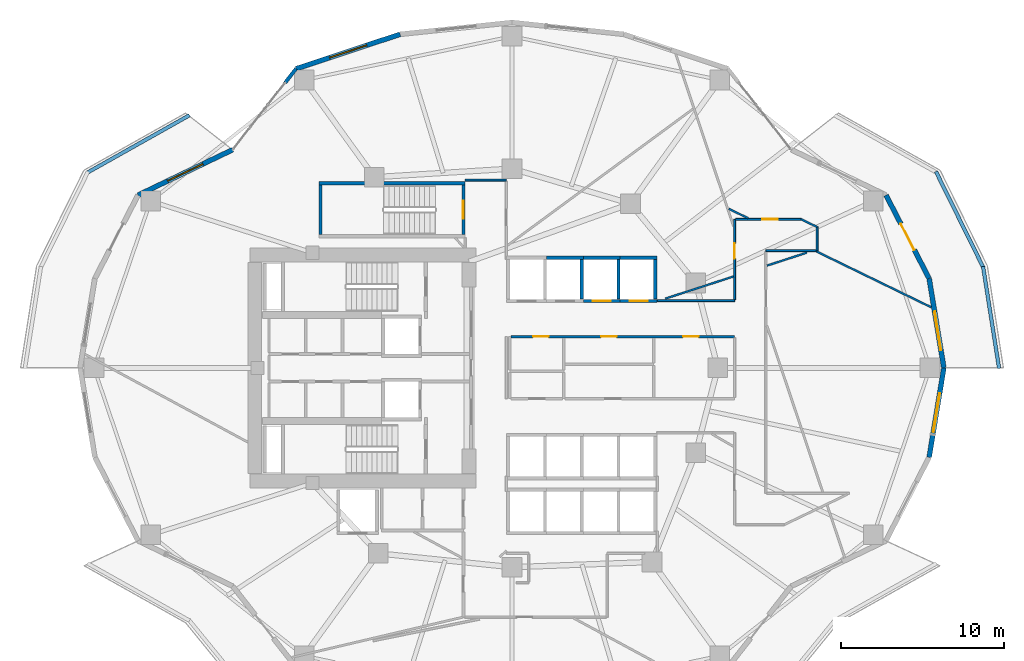
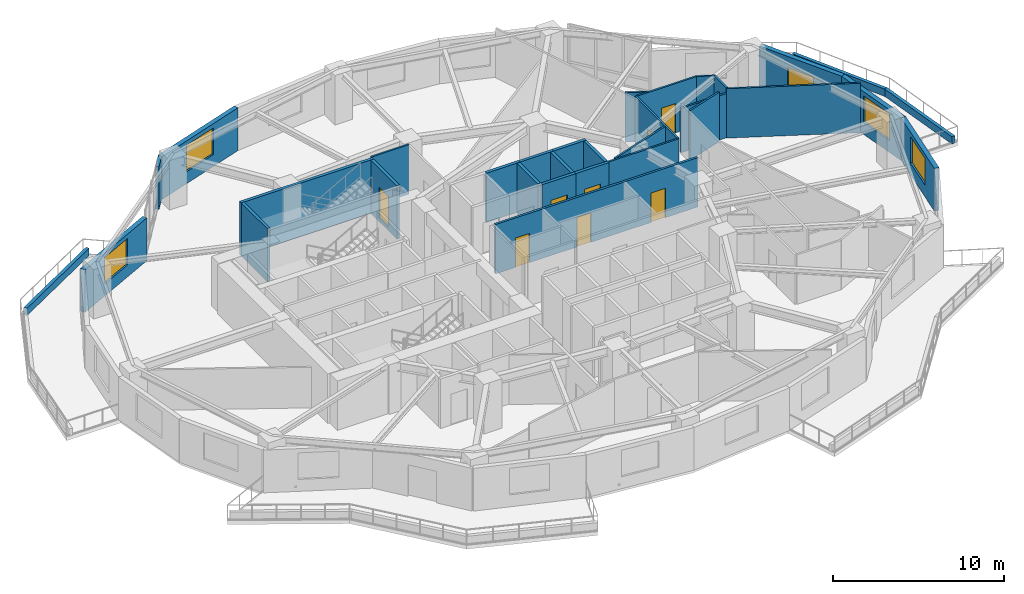
# One storey, part 8 of 12: 32 walls, 9 doors, 4 windows, 13 openings.
"""IFC4 building model written with IfcOpenShell, lengths in metres."""

import ifcopenshell
import ifcopenshell.guid

model = None  # the IFC model being written
_history = None  # IfcOwnerHistory: only IFC2X3 demands one
_inside = {}  # id of a spatial element -> (the spatial element, [elements in it])
_under = {}  # id of a project, library or spatial element -> (it, [spatial elements below it])
_declared = {}  # id of a project -> (the project, [libraries it declares])
_typed = {}  # id of a type object -> (the type object, [elements of that type])
_made_of = {}  # id of a material, layer set ... -> (it, [elements and type objects made of it])


def new_model(schema):
    """Start an empty IFC model of exactly this schema.

    Asked for "IFC4X3", IfcOpenShell would pick the latest addendum, in which some entities
    have other attributes; the version numbers below select the first issue.
    IFC2X3 requires an IfcOwnerHistory on every rooted entity: one is made here for all.
    """
    global model, _history
    if schema == "IFC4X3":
        model = ifcopenshell.file(schema_version=(4, 3, 0, 0))
    else:
        model = ifcopenshell.file(schema=schema)
    _inside.clear()
    _under.clear()
    _declared.clear()
    _typed.clear()
    _made_of.clear()
    _history = None
    if model.schema == "IFC2X3":
        org = make("IfcOrganization", Name="unknown")
        user = make(
            "IfcPersonAndOrganization",
            ThePerson=make("IfcPerson", FamilyName="unknown"),
            TheOrganization=org,
        )
        app = make(
            "IfcApplication",
            ApplicationDeveloper=org,
            Version="unknown",
            ApplicationFullName="unknown",
            ApplicationIdentifier="unknown",
        )
        _history = make(
            "IfcOwnerHistory",
            OwningUser=user,
            OwningApplication=app,
            ChangeAction="ADDED",
            CreationDate=0,
        )
    return model


def make(cls, **values):
    """One entity of the class cls with the attributes given. An attribute that is None is left unset."""
    return model.create_entity(
        cls, **{name: value for name, value in values.items() if value is not None}
    )


def rooted(cls, **values):
    """An entity with a GlobalId (a new one), such as an element, a storey or a relation."""
    return make(cls, GlobalId=ifcopenshell.guid.new(), OwnerHistory=_history, **values)


def si_unit(unit_type, name, prefix=None):
    """IfcSIUnit, for example si_unit("LENGTHUNIT", "METRE", prefix="MILLI")."""
    return make("IfcSIUnit", UnitType=unit_type, Prefix=prefix, Name=name)


def assignment(units):
    """IfcUnitAssignment: the units of a project."""
    return None if units is None else make("IfcUnitAssignment", Units=units)


def point(xyz):
    """IfcCartesianPoint."""
    return None if xyz is None else make("IfcCartesianPoint", Coordinates=xyz)


def direction(xyz):
    """IfcDirection."""
    return None if xyz is None else make("IfcDirection", DirectionRatios=xyz)


def frame(location, z_axis=None, x_axis=None):
    """IfcAxis2Placement3D, a coordinate frame: its origin and axes. An axis left out is left unset."""
    return make(
        "IfcAxis2Placement3D",
        Location=point(location),
        Axis=direction(z_axis),
        RefDirection=direction(x_axis),
    )


def frame_2d(location, x_axis=None):
    """IfcAxis2Placement2D, a coordinate frame in the plane: its origin and x axis."""
    return make(
        "IfcAxis2Placement2D", Location=point(location), RefDirection=direction(x_axis)
    )


def origin():
    """The frame at (0, 0, 0) with its axes left unset."""
    return frame((0.0, 0.0, 0.0))


def place(relative_to, where):
    """IfcLocalPlacement: puts the frame where relative to a parent placement (None: the world)."""
    return make(
        "IfcLocalPlacement", PlacementRelTo=relative_to, RelativePlacement=where
    )


def context(
    kind, dimensions, precision=None, world=None, true_north=None, identifier=None
):
    """IfcGeometricRepresentationContext, for example the 3D "Model" context."""
    return make(
        "IfcGeometricRepresentationContext",
        ContextIdentifier=identifier,
        ContextType=kind,
        CoordinateSpaceDimension=dimensions,
        Precision=precision,
        WorldCoordinateSystem=world,
        TrueNorth=true_north,
    )


def subcontext(parent, identifier, kind, view, scale=None):
    """IfcGeometricRepresentationSubContext, for example "Body" below "Model"."""
    return make(
        "IfcGeometricRepresentationSubContext",
        ContextIdentifier=identifier,
        ContextType=kind,
        ParentContext=parent,
        TargetScale=scale,
        TargetView=view,
    )


def project(units=None, contexts=None):
    """IfcProject with its units and contexts."""
    return rooted(
        "IfcProject",
        Name="project",
        RepresentationContexts=contexts,
        UnitsInContext=assignment(units),
    )


def spatial(cls, under=None, at=None, **own):
    """A site, building, storey or space (cls), placed at a placement, below another one or the project."""
    s = rooted(cls, ObjectPlacement=at, **own)
    if under is not None:
        _under.setdefault(under.id(), (under, []))[1].append(s)
    return s


def profile(cls, at=None, kind="AREA", **sizes):
    """A parametric profile (cls). Its sizes go by their IFC names, for example OverallWidth=200.0."""
    return make(cls, ProfileType=kind, Position=at, **sizes)


def rectangle(**sizes):
    """IfcRectangleProfileDef."""
    return profile("IfcRectangleProfileDef", **sizes)


def extrude(swept, where, along, depth):
    """IfcExtrudedAreaSolid: the profile swept, set in the frame where, extruded along a direction by depth."""
    return make(
        "IfcExtrudedAreaSolid",
        SweptArea=swept,
        Position=where,
        ExtrudedDirection=direction(along),
        Depth=depth,
    )


def shape(context_of_items, identifier, shape_type, items):
    """IfcShapeRepresentation: the items that make up one representation, for example the "Body"."""
    return make(
        "IfcShapeRepresentation",
        ContextOfItems=context_of_items,
        RepresentationIdentifier=identifier,
        RepresentationType=shape_type,
        Items=items,
    )


def material(Name=None, Category=None):
    """IfcMaterial."""
    return make("IfcMaterial", Name=Name, Category=Category)


def layer(
    of_material, thickness, ventilated=None, Name=None, Category=None, Priority=None
):
    """IfcMaterialLayer: one layer of a wall or slab, of a material (None: an air gap)."""
    return make(
        "IfcMaterialLayer",
        Material=of_material,
        LayerThickness=thickness,
        IsVentilated=ventilated,
        Name=Name,
        Category=Category,
        Priority=Priority,
    )


def layer_set(layers, Name=None):
    """IfcMaterialLayerSet."""
    return make("IfcMaterialLayerSet", MaterialLayers=layers, LayerSetName=Name)


def made_of(thing, what):
    """Note that an element or type object is made of a material, layer set ...; save() writes the relation."""
    if what is not None:
        _made_of.setdefault(what.id(), (what, []))[1].append(thing)
    return thing


def type_object(cls, material=None, **own):
    """A type object (cls), such as IfcWallType, which elements share."""
    return made_of(rooted(cls, **own), material)


def element(
    cls,
    number,
    at=None,
    inside=None,
    cuts=None,
    type_object=None,
    material=None,
    context=None,
    identifier="Body",
    shape_type=None,
    held_by="IfcProductDefinitionShape",
    body=None,
    shapes=None,
    **own,
):
    """One element of the class cls, such as IfcWall. Its Tag is "e" and its number.

    at: its placement. inside: the storey or other place that contains it. cuts: it is an
    opening in that element (IfcRelVoidsElement). A single representation is given by context,
    identifier, shape_type and body (its items); several are given by shapes. held_by: the class
    of the entity that holds the representations. save() writes the other relations.
    """
    e = rooted(cls, Tag="e%d" % number, ObjectPlacement=at, **own)
    if body is not None:
        shapes = [shape(context, identifier, shape_type, body)]
    if shapes is not None:
        e.Representation = make(held_by, Representations=shapes)
    if inside is not None:
        _inside.setdefault(inside.id(), (inside, []))[1].append(e)
    if cuts is not None:
        rooted(
            "IfcRelVoidsElement", RelatingBuildingElement=cuts, RelatedOpeningElement=e
        )
    if type_object is not None:
        _typed.setdefault(type_object.id(), (type_object, []))[1].append(e)
    return made_of(e, material)


def fill(opening, filler):
    """IfcRelFillsElement: the door or window that sits in an opening."""
    return rooted(
        "IfcRelFillsElement",
        RelatingOpeningElement=opening,
        RelatedBuildingElement=filler,
    )


def aggregate(whole, parts):
    """IfcRelAggregates: a whole, such as a stair, and the parts it consists of."""
    return rooted("IfcRelAggregates", RelatingObject=whole, RelatedObjects=parts)


def save(model, path):
    """Write the relations noted so far, then the file.

    IfcRelAggregates (storeys below a building ...), IfcRelContainedInSpatialStructure (elements
    in a storey), IfcRelDefinesByType, IfcRelAssociatesMaterial and IfcRelDeclares: one each for
    every whole, place, type object, material and project.
    """
    for whole, parts in _under.values():
        aggregate(whole, parts)
    for where, things in _inside.values():
        rooted(
            "IfcRelContainedInSpatialStructure",
            RelatedElements=things,
            RelatingStructure=where,
        )
    for kind, things in _typed.values():
        rooted("IfcRelDefinesByType", RelatedObjects=things, RelatingType=kind)
    for what, things in _made_of.values():
        rooted("IfcRelAssociatesMaterial", RelatedObjects=things, RelatingMaterial=what)
    for by, libraries in _declared.values():
        rooted("IfcRelDeclares", RelatingContext=by, RelatedDefinitions=libraries)
    model.write(path)


model = new_model("IFC4")

# Units and contexts
model_context = context("Model", 3, precision=1e-05, world=origin(), true_north=direction((0.0, 1.0)))
body_context = subcontext(model_context, "Body", "Model", "MODEL_VIEW")
ifc_project = project(units=[si_unit("LENGTHUNIT", "METRE"), si_unit("AREAUNIT", "SQUARE_METRE"), si_unit("VOLUMEUNIT", "CUBIC_METRE"), si_unit("PLANEANGLEUNIT", "RADIAN"), si_unit("MASSUNIT", "GRAM", prefix="KILO")], contexts=[model_context])

# Site, building, storey
site_placement = place(None, origin())
site = spatial("IfcSite", under=ifc_project, at=site_placement, CompositionType="ELEMENT")
building_placement = place(site_placement, origin())
building = spatial("IfcBuilding", under=site, at=building_placement, Name="Kolvaren Gate Tower and Convention Centre", CompositionType="ELEMENT")
storey_placement = place(building_placement, frame((0.0, 0.0, 91.949951171875)))
storey = spatial("IfcBuildingStorey", under=building, at=storey_placement, Name="L22", CompositionType="ELEMENT", Elevation=91.949951171875)

# Walls
ifc_material_1 = material(Name="Fire-Rated Acoustic Gypsum Stud Partition", Category="gypsum")
ifc_layer_1 = layer(ifc_material_1, 0.1201171875)
ifc_layer_set_1 = layer_set([ifc_layer_1], Name="Fire-Rated Acoustic Gypsum Stud Partition")
wall_type_1 = type_object("IfcWallType", Name="ARCH-WL-PART-120", PredefinedType="PARTITIONING", material=ifc_layer_set_1)
wall_1_placement = place(storey_placement, frame((27.25, 38.5, 0.0), z_axis=(0.0, 0.0, 1.0), x_axis=(1.0, 0.0, 0.0)))
element("IfcWall", 1, at=wall_1_placement, inside=storey, type_object=wall_type_1, Name="Interior Partition WL-L22-INT-027", PredefinedType="PARTITIONING", context=body_context, shape_type="SweptSolid", body=[
    extrude(rectangle(XDim=2.530029296875, YDim=0.1201171875, at=frame_2d((1.26513671875, 0.0))), origin(), (0.0, 0.0, 1.0), 3.530029296875),
])
wall_2_placement = place(storey_placement, frame((39.02001953125, 31.1201171875, 0.0), z_axis=(0.0, 0.0, 1.0), x_axis=(1.0, 0.0, 0.0)))
element("IfcWall", 2, at=wall_2_placement, inside=storey, type_object=wall_type_1, Name="Interior Partition WL-L22-INT-031", PredefinedType="PARTITIONING", context=body_context, shape_type="SweptSolid", body=[
    extrude(rectangle(XDim=4.72998046875, YDim=0.1201171875, at=frame_2d((2.364990234375, 0.0))), origin(), (0.0, 0.0, 1.0), 3.530029296875),
])

# Wall, opening, door
wall_3_placement = place(storey_placement, frame((43.75, 31.181884765625, 0.0), z_axis=(0.0, 0.0, 1.0), x_axis=(0.0, 1.0, 0.0)))
wall_3 = element("IfcWall", 3, at=wall_3_placement, inside=storey, type_object=wall_type_1, Name="Interior Partition WL-L22-INT-034", PredefinedType="PARTITIONING", context=body_context, shape_type="SweptSolid", body=[
    extrude(rectangle(XDim=4.918212890625, YDim=0.1201171875, at=frame_2d((2.458984375, 0.0))), origin(), (0.0, 0.0, 1.0), 3.530029296875),
])
opening_1_placement = place(wall_3_placement, frame((2.4912109375, 0.0, 0.0)))
opening_1 = element("IfcOpeningElement", 4, at=opening_1_placement, cuts=wall_3, Name="Opening DR-01", PredefinedType="OPENING", context=body_context, shape_type="SweptSolid", body=[
    extrude(rectangle(XDim=0.949951171875, YDim=2.10009765625, at=frame_2d((0.47509765625, 1.050048828125))), frame((0.0, 0.070068359375, 0.0), z_axis=(0.0, -1.0, 0.0), x_axis=(1.0, 0.0, 0.0)), (0.0, 0.0, 1.0), 0.14013671875),
])
ifc_material_2 = material(Name="Painted Architectural Steelwork ASTM A500 Grade C 345 MPa", Category="steel")
door_type_1 = type_object("IfcDoorType", Name="ARCH-DR-RISER-950", OperationType="SINGLE_SWING_RIGHT", PredefinedType="DOOR", material=ifc_material_2)
door_1_placement = place(opening_1_placement, origin())
door_1 = element("IfcDoor", 5, at=door_1_placement, inside=storey, type_object=door_type_1, Name="Corporate Advisory Open-Plan Office Door", OperationType="SINGLE_SWING_RIGHT", OverallHeight=2.10009765625, OverallWidth=0.949951171875, PredefinedType="DOOR", context=body_context, shape_type="SweptSolid", body=[
    extrude(rectangle(XDim=0.949951171875, YDim=2.10009765625, at=frame_2d((0.47509765625, 1.050048828125))), frame((0.0, 0.02490234375, 0.0), z_axis=(0.0, -1.0, 0.0), x_axis=(1.0, 0.0, 0.0)), (0.0, 0.0, 1.0), 0.050048828125),
])
fill(opening_1, door_1)

wall_4_placement = place(storey_placement, frame((43.81201171875, 36.10009765625, 0.0), z_axis=(0.0, 0.0, 1.0), x_axis=(1.0, 0.0, 0.0)))
wall_4 = element("IfcWall", 6, at=wall_4_placement, inside=storey, type_object=wall_type_1, Name="Interior Partition WL-L22-INT-035", PredefinedType="PARTITIONING", context=body_context, shape_type="SweptSolid", body=[
    extrude(rectangle(XDim=4.011962890625, YDim=0.1201171875, at=frame_2d((2.005859375, 0.0))), origin(), (0.0, 0.0, 1.0), 3.530029296875),
])
opening_2_placement = place(wall_4_placement, frame((1.622802734375, 0.0, 0.0)))
opening_2 = element("IfcOpeningElement", 7, at=opening_2_placement, cuts=wall_4, Name="Opening DR-01", PredefinedType="OPENING", context=body_context, shape_type="SweptSolid", body=[
    extrude(rectangle(XDim=0.949951171875, YDim=2.10009765625, at=frame_2d((0.47509765625, 1.050048828125))), frame((0.0, 0.070068359375, 0.0), z_axis=(0.0, -1.0, 0.0), x_axis=(1.0, 0.0, 0.0)), (0.0, 0.0, 1.0), 0.14013671875),
])
door_2_placement = place(opening_2_placement, origin())
door_2 = element("IfcDoor", 8, at=door_2_placement, inside=storey, type_object=door_type_1, Name="Corporate Advisory Open-Plan Office Door", OperationType="SINGLE_SWING_LEFT", OverallHeight=2.10009765625, OverallWidth=0.949951171875, PredefinedType="DOOR", context=body_context, shape_type="SweptSolid", body=[
    extrude(rectangle(XDim=0.949951171875, YDim=2.10009765625, at=frame_2d((0.47509765625, 1.050048828125))), frame((0.0, 0.02490234375, 0.0), z_axis=(0.0, -1.0, 0.0), x_axis=(1.0, 0.0, 0.0)), (0.0, 0.0, 1.0), 0.050048828125),
])
fill(opening_2, door_2)

# Walls
wall_5_placement = place(storey_placement, frame((47.823974609375, 36.10009765625, 0.0), z_axis=(0.0, 0.0, 1.0), x_axis=(0.901350599951, -0.433090170712, 0.0)))
element("IfcWall", 9, at=wall_5_placement, inside=storey, type_object=wall_type_1, Name="Interior Partition WL-L22-INT-036", PredefinedType="PARTITIONING", context=body_context, shape_type="SweptSolid", body=[
    extrude(rectangle(XDim=1.0830078125, YDim=0.1201171875, at=frame_2d((0.54150390625, 0.0))), origin(), (0.0, 0.0, 1.0), 3.530029296875),
])
wall_6_placement = place(storey_placement, frame((48.800048828125, 34.179931640625, 0.0), z_axis=(0.0, 0.0, 1.0), x_axis=(0.0, 1.0, 0.0)))
element("IfcWall", 10, at=wall_6_placement, inside=storey, type_object=wall_type_1, Name="Interior Partition WL-L22-INT-037", PredefinedType="PARTITIONING", context=body_context, shape_type="SweptSolid", body=[
    extrude(rectangle(XDim=1.451171875, YDim=0.1201171875, at=frame_2d((0.7255859375, 0.0))), origin(), (0.0, 0.0, 1.0), 3.530029296875),
])
wall_7_placement = place(storey_placement, frame((45.669921875, 34.179931640625, 0.0), z_axis=(0.0, 0.0, 1.0), x_axis=(1.0, 0.0, 0.0)))
element("IfcWall", 11, at=wall_7_placement, inside=storey, type_object=wall_type_1, Name="Interior Partition WL-L22-INT-038", PredefinedType="PARTITIONING", context=body_context, shape_type="SweptSolid", body=[
    extrude(rectangle(XDim=3.068115234375, YDim=0.1201171875, at=frame_2d((1.5341796875, 0.0))), origin(), (0.0, 0.0, 1.0), 3.1650390625),
])
wall_8_placement = place(storey_placement, frame((39.51123046875, 31.241943359375, 0.0), z_axis=(0.0, 0.0, 1.0), x_axis=(0.951052042302, 0.30903076357, 0.0)))
element("IfcWall", 12, at=wall_8_placement, inside=storey, type_object=wall_type_1, Name="Interior Partition WL-L22-INT-057", PredefinedType="PARTITIONING", context=body_context, shape_type="SweptSolid", body=[
    extrude(rectangle(XDim=4.391845703125, YDim=0.1201171875, at=frame_2d((2.19580078125, 0.0))), origin(), (0.0, 0.0, 1.0), 3.530029296875),
])
wall_9_placement = place(storey_placement, frame((45.73193359375, 33.26318359375, 0.0), z_axis=(0.0, 0.0, 1.0), x_axis=(0.951057081836, 0.309015253813, 0.0)))
element("IfcWall", 13, at=wall_9_placement, inside=storey, type_object=wall_type_1, Name="Interior Partition WL-L22-INT-058", PredefinedType="PARTITIONING", context=body_context, shape_type="SweptSolid", body=[
    extrude(rectangle(XDim=2.572509765625, YDim=0.1201171875, at=frame_2d((1.2861328125, 0.0))), origin(), (0.0, 0.0, 1.0), 3.530029296875),
])
wall_10_placement = place(storey_placement, frame((43.39404296875, 36.7421875, 0.0), z_axis=(0.0, 0.0, 1.0), x_axis=(0.899305525601, -0.437320902339, 0.0)))
element("IfcWall", 14, at=wall_10_placement, inside=storey, type_object=wall_type_1, Name="Interior Partition WL-L22-INT-059", PredefinedType="PARTITIONING", context=body_context, shape_type="SweptSolid", body=[
    extrude(rectangle(XDim=1.326416015625, YDim=0.1201171875, at=frame_2d((0.6630859375, 0.0))), origin(), (0.0, 0.0, 1.0), 3.530029296875),
])
wall_11_placement = place(storey_placement, frame((48.738037109375, 34.142578125, 0.0), z_axis=(0.0, 0.0, 1.0), x_axis=(0.899231452107, -0.437473194083, 0.0)))
element("IfcWall", 15, at=wall_11_placement, inside=storey, type_object=wall_type_1, Name="Interior Partition WL-L22-INT-060", PredefinedType="PARTITIONING", context=body_context, shape_type="SweptSolid", body=[
    extrude(rectangle(XDim=7.8515625, YDim=0.1201171875, at=frame_2d((3.92578125, 0.0))), origin(), (0.0, 0.0, 1.0), 3.530029296875),
])
ifc_material_3 = material(Name="Bogota Sabana Bush-Hammered Sandstone Cladding", Category="masonry")
ifc_layer_2 = layer(ifc_material_3, 0.219970703125)
ifc_layer_set_2 = layer_set([ifc_layer_2], Name="Bogota Sabana Bush-Hammered Sandstone Cladding")
wall_type_2 = type_object("IfcWallType", Name="ARCH-WL-PIER-220", PredefinedType="SOLIDWALL", material=ifc_layer_set_2)
wall_12_placement = place(storey_placement, frame((16.24267578125, 44.46875, 0.0), z_axis=(0.0, 0.0, 1.0), x_axis=(0.616418327775, 0.787418849903, 0.0)))
element("IfcWall", 16, at=wall_12_placement, inside=storey, type_object=wall_type_2, Name="Tower L22 Unitised Curtain Wall CW-OFF-UNIT Bay 08 Right Column Pier Wrap", PredefinedType="SOLIDWALL", context=body_context, shape_type="SweptSolid", body=[
    extrude(rectangle(XDim=1.076416015625, YDim=0.219970703125, at=frame_2d((0.5380859375, 0.0))), origin(), (0.0, 0.0, 1.0), 3.052978515625),
])
ifc_material_4 = material(Name="Piedmont Cream Honed Limestone Cladding", Category="masonry")
ifc_layer_3 = layer(ifc_material_4, 0.219970703125)
ifc_layer_set_3 = layer_set([ifc_layer_3], Name="Piedmont Cream Honed Limestone Cladding")
wall_type_3 = type_object("IfcWallType", Name="ARCH-WL-PLANTER-220", PredefinedType="PARAPET", material=ifc_layer_set_3)
wall_13_placement = place(storey_placement, frame((58.9619140625, 33.2119140625, 0.0), z_axis=(0.0, 0.0, 1.0), x_axis=(0.15545655238, -0.987842730561, 0.0)))
element("IfcWall", 17, at=wall_13_placement, inside=storey, type_object=wall_type_3, Name="Vertical-Forest Balcony Stone Planter Kerb PK-L22-1.1", PredefinedType="PARAPET", context=body_context, shape_type="SweptSolid", body=[
    extrude(rectangle(XDim=6.318115234375, YDim=0.219970703125, at=frame_2d((3.1591796875, 0.0))), origin(), (0.0, 0.0, 1.0), 0.52001953125),
])
wall_14_placement = place(storey_placement, frame((56.077392578125, 39.021484375, 0.0), z_axis=(0.0, 0.0, 1.0), x_axis=(0.442686636348, -0.89667638644, 0.0)))
element("IfcWall", 18, at=wall_14_placement, inside=storey, type_object=wall_type_3, Name="Vertical-Forest Balcony Stone Planter Kerb PK-L22-1.2", PredefinedType="PARAPET", context=body_context, shape_type="SweptSolid", body=[
    extrude(rectangle(XDim=6.544677734375, YDim=0.219970703125, at=frame_2d((3.2724609375, 0.0))), origin(), (0.0, 0.0, 1.0), 0.52001953125),
])
wall_15_placement = place(storey_placement, frame((4.14697265625, 38.965576171875, 0.0), z_axis=(0.0, 0.0, 1.0), x_axis=(0.871775109335, 0.489906275468, 0.0)))
element("IfcWall", 19, at=wall_15_placement, inside=storey, type_object=wall_type_3, Name="Vertical-Forest Balcony Stone Planter Kerb PK-L22-2.1", PredefinedType="PARAPET", context=body_context, shape_type="SweptSolid", body=[
    extrude(rectangle(XDim=7.152099609375, YDim=0.219970703125, at=frame_2d((3.576171875, 0.0))), origin(), (0.0, 0.0, 1.0), 0.52001953125),
])
ifc_material_5 = material(Name="Autoclaved Aerated Masonry Blockwork Class 4 (4.0 MPa)", Category="masonry")
ifc_layer_4 = layer(ifc_material_5, 0.199951171875)
ifc_layer_set_4 = layer_set([ifc_layer_4], Name="Autoclaved Aerated Masonry Blockwork Class 4 (4.0 MPa)")
wall_type_4 = type_object("IfcWallType", Name="ARCH-WL-SHAFT-200", PredefinedType="SOLIDWALL", material=ifc_layer_set_4)
wall_16_placement = place(storey_placement, frame((32.25, 33.75, 0.0), z_axis=(0.0, 0.0, 1.0), x_axis=(1.0, 0.0, 0.0)))
element("IfcWall", 20, at=wall_16_placement, inside=storey, type_object=wall_type_4, Name="Elevator PL-02 L22 Fire Shaft Wall N", PredefinedType="SOLIDWALL", context=body_context, shape_type="SweptSolid", body=[
    extrude(rectangle(XDim=2.25, YDim=0.199951171875, at=frame_2d((1.125, 0.0))), origin(), (0.0, 0.0, 1.0), 3.530029296875),
])
wall_17_placement = place(storey_placement, frame((34.39990234375, 31.2099609375, 0.0), z_axis=(0.0, 0.0, 1.0), x_axis=(0.0, 1.0, 0.0)))
element("IfcWall", 21, at=wall_17_placement, inside=storey, type_object=wall_type_4, Name="Elevator PL-02 L22 Fire Shaft Wall E", PredefinedType="SOLIDWALL", context=body_context, shape_type="SweptSolid", body=[
    extrude(rectangle(XDim=2.429931640625, YDim=0.199951171875, at=frame_2d((1.21484375, 0.0))), origin(), (0.0, 0.0, 1.0), 3.530029296875),
])
wall_18_placement = place(storey_placement, frame((34.5, 33.75, 0.0), z_axis=(0.0, 0.0, 1.0), x_axis=(1.0, 0.0, 0.0)))
element("IfcWall", 22, at=wall_18_placement, inside=storey, type_object=wall_type_4, Name="Elevator PL-03 L22 Fire Shaft Wall N", PredefinedType="SOLIDWALL", context=body_context, shape_type="SweptSolid", body=[
    extrude(rectangle(XDim=2.25, YDim=0.199951171875, at=frame_2d((1.125, 0.0))), origin(), (0.0, 0.0, 1.0), 3.530029296875),
])

# Wall, opening, door
wall_19_placement = place(storey_placement, frame((34.5, 31.10009765625, 0.0), z_axis=(0.0, 0.0, 1.0), x_axis=(1.0, 0.0, 0.0)))
wall_19 = element("IfcWall", 23, at=wall_19_placement, inside=storey, type_object=wall_type_4, Name="Elevator PL-03 L22 Fire Shaft Wall S", PredefinedType="SOLIDWALL", context=body_context, shape_type="SweptSolid", body=[
    extrude(rectangle(XDim=2.25, YDim=0.199951171875, at=frame_2d((1.125, 0.0))), origin(), (0.0, 0.0, 1.0), 3.530029296875),
])
opening_3_placement = place(wall_19_placement, frame((0.574951171875, 0.0, 0.0)))
opening_3 = element("IfcOpeningElement", 24, at=opening_3_placement, cuts=wall_19, Name="Opening LD", PredefinedType="OPENING", context=body_context, shape_type="SweptSolid", body=[
    extrude(rectangle(XDim=1.10009765625, YDim=2.199951171875, at=frame_2d((0.550048828125, 1.10009765625))), frame((0.0, 0.10986328125, 0.0), z_axis=(0.0, -1.0, 0.0), x_axis=(1.0, 0.0, 0.0)), (0.0, 0.0, 1.0), 0.219970703125),
])
ifc_material_6 = material(Name="Brushed Stainless Steel Grade 316L", Category="steel")
door_type_2 = type_object("IfcDoorType", Name="ARCH-DR-LIFT-1100", OperationType="SLIDING_TO_LEFT", PredefinedType="DOOR", material=ifc_material_6)
door_3_placement = place(opening_3_placement, origin())
door_3 = element("IfcDoor", 25, at=door_3_placement, inside=storey, type_object=door_type_2, Name="Elevator PL-03 L22 Sliding Landing Door", OperationType="SLIDING_TO_LEFT", OverallHeight=2.199951171875, OverallWidth=1.10009765625, PredefinedType="DOOR", context=body_context, shape_type="SweptSolid", body=[
    extrude(rectangle(XDim=1.10009765625, YDim=2.199951171875, at=frame_2d((0.550048828125, 1.10009765625))), frame((0.0, 0.02490234375, 0.0), z_axis=(0.0, -1.0, 0.0), x_axis=(1.0, 0.0, 0.0)), (0.0, 0.0, 1.0), 0.050048828125),
])
fill(opening_3, door_3)

# Walls
wall_20_placement = place(storey_placement, frame((36.64990234375, 31.2099609375, 0.0), z_axis=(0.0, 0.0, 1.0), x_axis=(0.0, 1.0, 0.0)))
element("IfcWall", 26, at=wall_20_placement, inside=storey, type_object=wall_type_4, Name="Elevator PL-03 L22 Fire Shaft Wall E", PredefinedType="SOLIDWALL", context=body_context, shape_type="SweptSolid", body=[
    extrude(rectangle(XDim=2.429931640625, YDim=0.199951171875, at=frame_2d((1.21484375, 0.0))), origin(), (0.0, 0.0, 1.0), 3.530029296875),
])
wall_21_placement = place(storey_placement, frame((36.75, 33.75, 0.0), z_axis=(0.0, 0.0, 1.0), x_axis=(1.0, 0.0, 0.0)))
element("IfcWall", 27, at=wall_21_placement, inside=storey, type_object=wall_type_4, Name="Elevator PL-04 L22 Fire Shaft Wall N", PredefinedType="SOLIDWALL", context=body_context, shape_type="SweptSolid", body=[
    extrude(rectangle(XDim=2.25, YDim=0.199951171875, at=frame_2d((1.125, 0.0))), origin(), (0.0, 0.0, 1.0), 3.530029296875),
])

# Wall, opening, door
wall_22_placement = place(storey_placement, frame((36.75, 31.10009765625, 0.0), z_axis=(0.0, 0.0, 1.0), x_axis=(1.0, 0.0, 0.0)))
wall_22 = element("IfcWall", 28, at=wall_22_placement, inside=storey, type_object=wall_type_4, Name="Elevator PL-04 L22 Fire Shaft Wall S", PredefinedType="SOLIDWALL", context=body_context, shape_type="SweptSolid", body=[
    extrude(rectangle(XDim=2.25, YDim=0.199951171875, at=frame_2d((1.125, 0.0))), origin(), (0.0, 0.0, 1.0), 3.530029296875),
])
opening_4_placement = place(wall_22_placement, frame((0.574951171875, 0.0, 0.0)))
opening_4 = element("IfcOpeningElement", 29, at=opening_4_placement, cuts=wall_22, Name="Opening LD", PredefinedType="OPENING", context=body_context, shape_type="SweptSolid", body=[
    extrude(rectangle(XDim=1.10009765625, YDim=2.199951171875, at=frame_2d((0.550048828125, 1.10009765625))), frame((0.0, 0.10986328125, 0.0), z_axis=(0.0, -1.0, 0.0), x_axis=(1.0, 0.0, 0.0)), (0.0, 0.0, 1.0), 0.219970703125),
])
door_4_placement = place(opening_4_placement, origin())
door_4 = element("IfcDoor", 30, at=door_4_placement, inside=storey, type_object=door_type_2, Name="Elevator PL-04 L22 Sliding Landing Door", OperationType="SLIDING_TO_LEFT", OverallHeight=2.199951171875, OverallWidth=1.10009765625, PredefinedType="DOOR", context=body_context, shape_type="SweptSolid", body=[
    extrude(rectangle(XDim=1.10009765625, YDim=2.199951171875, at=frame_2d((0.550048828125, 1.10009765625))), frame((0.0, 0.02490234375, 0.0), z_axis=(0.0, -1.0, 0.0), x_axis=(1.0, 0.0, 0.0)), (0.0, 0.0, 1.0), 0.050048828125),
])
fill(opening_4, door_4)

# Wall
wall_23_placement = place(storey_placement, frame((38.89990234375, 31.2099609375, 0.0), z_axis=(0.0, 0.0, 1.0), x_axis=(0.0, 1.0, 0.0)))
element("IfcWall", 31, at=wall_23_placement, inside=storey, type_object=wall_type_4, Name="Elevator PL-04 L22 Fire Shaft Wall E", PredefinedType="SOLIDWALL", context=body_context, shape_type="SweptSolid", body=[
    extrude(rectangle(XDim=2.429931640625, YDim=0.199951171875, at=frame_2d((1.21484375, 0.0))), origin(), (0.0, 0.0, 1.0), 3.530029296875),
])

# Wall, opening, window
ifc_layer_5 = layer(ifc_material_4, 0.300048828125)
ifc_layer_set_5 = layer_set([ifc_layer_5], Name="Piedmont Cream Honed Limestone Cladding")
wall_type_5 = type_object("IfcWallType", Name="ARCH-WL-STONE-300", PredefinedType="SOLIDWALL", material=ifc_layer_set_5)
wall_24_placement = place(storey_placement, frame((55.66162109375, 32.47412109375, 0.0), z_axis=(0.0, 0.0, 1.0), x_axis=(0.162386212206, -0.986727276447, 0.0)))
wall_24 = element("IfcWall", 32, at=wall_24_placement, inside=storey, type_object=wall_type_5, Name="Tower L22 Honed Stone Spandrel Wall EW-00", PredefinedType="SOLIDWALL", context=body_context, shape_type="SweptSolid", body=[
    extrude(rectangle(XDim=5.5478515625, YDim=0.300048828125, at=frame_2d((2.77392578125, 0.0))), origin(), (0.0, 0.0, 1.0), 3.052978515625),
])
opening_5_placement = place(wall_24_placement, frame((2.050048828125, 0.0, 0.85009765625)))
opening_5 = element("IfcOpeningElement", 33, at=opening_5_placement, cuts=wall_24, Name="Opening W-01", PredefinedType="OPENING", context=body_context, shape_type="SweptSolid", body=[
    extrude(rectangle(XDim=2.39990234375, YDim=1.89990234375, at=frame_2d((1.199951171875, 0.949951171875))), frame((0.0, 0.159912109375, 0.0), z_axis=(0.0, -1.0, 0.0), x_axis=(1.0, 0.0, 0.0)), (0.0, 0.0, 1.0), 0.320068359375),
])
ifc_material_7 = material(Name="Low-E Triple Insulated Glazing Unit 44 mm", Category="glass")
window_type = type_object("IfcWindowType", Name="ARCH-WN-OFF-2400", PartitioningType="SINGLE_PANEL", PredefinedType="WINDOW", material=ifc_material_7)
window_1_placement = place(opening_5_placement, origin())
window_1 = element("IfcWindow", 34, at=window_1_placement, inside=storey, type_object=window_type, Name="Tower L22 Punched Stone Facade Window W-00", OverallHeight=1.89990234375, OverallWidth=2.39990234375, PartitioningType="SINGLE_PANEL", PredefinedType="WINDOW", context=body_context, shape_type="SweptSolid", body=[
    extrude(rectangle(XDim=2.39990234375, YDim=1.89990234375, at=frame_2d((1.199951171875, 0.949951171875))), frame((0.0, 0.030029296875, 0.0), z_axis=(0.0, -1.0, 0.0), x_axis=(1.0, 0.0, 0.0)), (0.0, 0.0, 1.0), 0.06005859375),
])
fill(opening_5, window_1)

# Wall, opening, door
wall_25_placement = place(storey_placement, frame((53.0205078125, 37.574951171875, 0.0), z_axis=(0.0, 0.0, 1.0), x_axis=(0.459800981414, -0.888021991558, 0.0)))
wall_25 = element("IfcWall", 35, at=wall_25_placement, inside=storey, type_object=wall_type_5, Name="Tower L22 Honed Stone Spandrel Wall EW-01", PredefinedType="SOLIDWALL", context=body_context, shape_type="SweptSolid", body=[
    extrude(rectangle(XDim=5.744140625, YDim=0.300048828125, at=frame_2d((2.8720703125, 0.0))), origin(), (0.0, 0.0, 1.0), 3.052978515625),
])
opening_6_placement = place(wall_25_placement, frame((1.971923828125, 0.0, 0.0)))
opening_6 = element("IfcOpeningElement", 36, at=opening_6_placement, cuts=wall_25, Name="Opening DB-01", PredefinedType="OPENING", context=body_context, shape_type="SweptSolid", body=[
    extrude(rectangle(XDim=1.800048828125, YDim=2.25, at=frame_2d((0.89990234375, 1.125))), frame((0.0, 0.159912109375, 0.0), z_axis=(0.0, -1.0, 0.0), x_axis=(1.0, 0.0, 0.0)), (0.0, 0.0, 1.0), 0.320068359375),
])
ifc_material_8 = material(Name="Anodized Architectural Aluminium Alloy 6063-T6", Category="aluminium")
door_type_3 = type_object("IfcDoorType", Name="ARCH-DR-BALC-1800", OperationType="SLIDING_TO_LEFT", PredefinedType="DOOR", material=ifc_material_8)
door_5_placement = place(opening_6_placement, origin())
door_5 = element("IfcDoor", 37, at=door_5_placement, inside=storey, type_object=door_type_3, Name="Planted Sky Terrace Access Door DB-L22-01", OperationType="SLIDING_TO_LEFT", OverallHeight=2.25, OverallWidth=1.800048828125, PredefinedType="DOOR", context=body_context, shape_type="SweptSolid", body=[
    extrude(rectangle(XDim=1.800048828125, YDim=2.25, at=frame_2d((0.89990234375, 1.125))), frame((0.0, 0.02490234375, 0.0), z_axis=(0.0, -1.0, 0.0), x_axis=(1.0, 0.0, 0.0)), (0.0, 0.0, 1.0), 0.050048828125),
])
fill(opening_6, door_5)

# Wall, opening, window
wall_26_placement = place(storey_placement, frame((16.90625, 45.31640625, 0.0), z_axis=(0.0, 0.0, 1.0), x_axis=(0.949245153629, 0.314537181127, 0.0)))
wall_26 = element("IfcWall", 38, at=wall_26_placement, inside=storey, type_object=wall_type_5, Name="Tower L22 Honed Stone Spandrel Wall EW-07", PredefinedType="SOLIDWALL", context=body_context, shape_type="SweptSolid", body=[
    extrude(rectangle(XDim=6.717041015625, YDim=0.300048828125, at=frame_2d((3.3583984375, 0.0))), origin(), (0.0, 0.0, 1.0), 3.052978515625),
])
opening_7_placement = place(wall_26_placement, frame((2.158935546875, 0.0, 0.85009765625)))
opening_7 = element("IfcOpeningElement", 39, at=opening_7_placement, cuts=wall_26, Name="Opening W-01", PredefinedType="OPENING", context=body_context, shape_type="SweptSolid", body=[
    extrude(rectangle(XDim=2.39990234375, YDim=1.89990234375, at=frame_2d((1.199951171875, 0.949951171875))), frame((0.0, 0.159912109375, 0.0), z_axis=(0.0, -1.0, 0.0), x_axis=(1.0, 0.0, 0.0)), (0.0, 0.0, 1.0), 0.320068359375),
])
window_2_placement = place(opening_7_placement, origin())
window_2 = element("IfcWindow", 40, at=window_2_placement, inside=storey, type_object=window_type, Name="Tower L22 Punched Stone Facade Window W-07", OverallHeight=1.89990234375, OverallWidth=2.39990234375, PartitioningType="SINGLE_PANEL", PredefinedType="WINDOW", context=body_context, shape_type="SweptSolid", body=[
    extrude(rectangle(XDim=2.39990234375, YDim=1.89990234375, at=frame_2d((1.199951171875, 0.949951171875))), frame((0.0, 0.030029296875, 0.0), z_axis=(0.0, -1.0, 0.0), x_axis=(1.0, 0.0, 0.0)), (0.0, 0.0, 1.0), 0.06005859375),
])
fill(opening_7, window_2)

wall_27_placement = place(storey_placement, frame((7.2294921875, 37.574951171875, 0.0), z_axis=(0.0, 0.0, 1.0), x_axis=(0.901354747727, 0.433081538224, 0.0)))
wall_27 = element("IfcWall", 41, at=wall_27_placement, inside=storey, type_object=wall_type_5, Name="Tower L22 Honed Stone Spandrel Wall EW-09", PredefinedType="SOLIDWALL", context=body_context, shape_type="SweptSolid", body=[
    extrude(rectangle(XDim=6.430908203125, YDim=0.300048828125, at=frame_2d((3.21533203125, 0.0))), origin(), (0.0, 0.0, 1.0), 3.052978515625),
])
opening_8_placement = place(wall_27_placement, frame((2.014892578125, 0.0, 0.85009765625)))
opening_8 = element("IfcOpeningElement", 42, at=opening_8_placement, cuts=wall_27, Name="Opening W-01", PredefinedType="OPENING", context=body_context, shape_type="SweptSolid", body=[
    extrude(rectangle(XDim=2.39990234375, YDim=1.89990234375, at=frame_2d((1.199951171875, 0.949951171875))), frame((0.0, 0.159912109375, 0.0), z_axis=(0.0, -1.0, 0.0), x_axis=(1.0, 0.0, 0.0)), (0.0, 0.0, 1.0), 0.320068359375),
])
window_3_placement = place(opening_8_placement, origin())
window_3 = element("IfcWindow", 43, at=window_3_placement, inside=storey, type_object=window_type, Name="Tower L22 Punched Stone Facade Window W-09", OverallHeight=1.89990234375, OverallWidth=2.39990234375, PartitioningType="SINGLE_PANEL", PredefinedType="WINDOW", context=body_context, shape_type="SweptSolid", body=[
    extrude(rectangle(XDim=2.39990234375, YDim=1.89990234375, at=frame_2d((1.199951171875, 0.949951171875))), frame((0.0, 0.030029296875, 0.0), z_axis=(0.0, -1.0, 0.0), x_axis=(1.0, 0.0, 0.0)), (0.0, 0.0, 1.0), 0.06005859375),
])
fill(opening_8, window_3)

wall_28_placement = place(storey_placement, frame((55.66162109375, 21.52587890625, 0.0), z_axis=(0.0, 0.0, 1.0), x_axis=(0.162386212206, 0.986727276447, 0.0)))
wall_28 = element("IfcWall", 44, at=wall_28_placement, inside=storey, type_object=wall_type_5, Name="Tower L22 Honed Stone Spandrel Wall EW-23", PredefinedType="SOLIDWALL", context=body_context, shape_type="SweptSolid", body=[
    extrude(rectangle(XDim=5.5478515625, YDim=0.300048828125, at=frame_2d((2.77392578125, 0.0))), origin(), (0.0, 0.0, 1.0), 3.052978515625),
])
opening_9_placement = place(wall_28_placement, frame((1.573974609375, 0.0, 0.85009765625)))
opening_9 = element("IfcOpeningElement", 45, at=opening_9_placement, cuts=wall_28, Name="Opening W-01", PredefinedType="OPENING", context=body_context, shape_type="SweptSolid", body=[
    extrude(rectangle(XDim=2.39990234375, YDim=1.89990234375, at=frame_2d((1.199951171875, 0.949951171875))), frame((0.0, 0.159912109375, 0.0), z_axis=(0.0, -1.0, 0.0), x_axis=(1.0, 0.0, 0.0)), (0.0, 0.0, 1.0), 0.320068359375),
])
window_4_placement = place(opening_9_placement, origin())
window_4 = element("IfcWindow", 46, at=window_4_placement, inside=storey, type_object=window_type, Name="Tower L22 Punched Stone Facade Window W-23", OverallHeight=1.89990234375, OverallWidth=2.39990234375, PartitioningType="SINGLE_PANEL", PredefinedType="WINDOW", context=body_context, shape_type="SweptSolid", body=[
    extrude(rectangle(XDim=2.39990234375, YDim=1.89990234375, at=frame_2d((1.199951171875, 0.949951171875))), frame((0.0, 0.030029296875, 0.0), z_axis=(0.0, -1.0, 0.0), x_axis=(1.0, 0.0, 0.0)), (0.0, 0.0, 1.0), 0.06005859375),
])
fill(opening_9, window_4)

# Wall, openings, doors
ifc_material_9 = material(Name="Moisture-Resistant Cement-Board Acoustic Partition", Category="gypsum")
ifc_layer_6 = layer(ifc_material_9, 0.14990234375)
ifc_layer_set_6 = layer_set([ifc_layer_6], Name="Moisture-Resistant Cement-Board Acoustic Partition")
wall_type_6 = type_object("IfcWallType", Name="ARCH-WL-WET-150", PredefinedType="PARTITIONING", material=ifc_layer_set_6)
wall_29_placement = place(storey_placement, frame((30.076904296875, 28.919921875, 0.0), z_axis=(0.0, 0.0, 1.0), x_axis=(1.0, 0.0, 0.0)))
wall_29 = element("IfcWall", 47, at=wall_29_placement, inside=storey, type_object=wall_type_6, Name="Interior Partition WL-L22-INT-017", PredefinedType="PARTITIONING", context=body_context, shape_type="SweptSolid", body=[
    extrude(rectangle(XDim=13.673095703125, YDim=0.14990234375, at=frame_2d((6.83642578125, 0.0))), origin(), (0.0, 0.0, 1.0), 3.530029296875),
])
opening_10_placement = place(wall_29_placement, frame((1.341552734375, 0.0, 0.0)))
opening_10 = element("IfcOpeningElement", 48, at=opening_10_placement, cuts=wall_29, Name="Opening DR-01", PredefinedType="OPENING", context=body_context, shape_type="SweptSolid", body=[
    extrude(rectangle(XDim=0.949951171875, YDim=2.10009765625, at=frame_2d((0.47509765625, 1.050048828125))), frame((0.0, 0.0849609375, 0.0), z_axis=(0.0, -1.0, 0.0), x_axis=(1.0, 0.0, 0.0)), (0.0, 0.0, 1.0), 0.169921875),
])
opening_11_placement = place(wall_29_placement, frame((5.498046875, 0.0, 0.0)))
opening_11 = element("IfcOpeningElement", 49, at=opening_11_placement, cuts=wall_29, Name="Opening DR-01", PredefinedType="OPENING", context=body_context, shape_type="SweptSolid", body=[
    extrude(rectangle(XDim=0.949951171875, YDim=2.10009765625, at=frame_2d((0.47509765625, 1.050048828125))), frame((0.0, 0.0849609375, 0.0), z_axis=(0.0, -1.0, 0.0), x_axis=(1.0, 0.0, 0.0)), (0.0, 0.0, 1.0), 0.169921875),
])
opening_12_placement = place(wall_29_placement, frame((10.51806640625, 0.0, 0.0)))
opening_12 = element("IfcOpeningElement", 50, at=opening_12_placement, cuts=wall_29, Name="Opening DR-01", PredefinedType="OPENING", context=body_context, shape_type="SweptSolid", body=[
    extrude(rectangle(XDim=0.949951171875, YDim=2.10009765625, at=frame_2d((0.47509765625, 1.050048828125))), frame((0.0, 0.0849609375, 0.0), z_axis=(0.0, -1.0, 0.0), x_axis=(1.0, 0.0, 0.0)), (0.0, 0.0, 1.0), 0.169921875),
])
door_6_placement = place(opening_10_placement, origin())
door_6 = element("IfcDoor", 51, at=door_6_placement, inside=storey, type_object=door_type_1, Name="Accessible North Washroom Door", OperationType="SINGLE_SWING_RIGHT", OverallHeight=2.10009765625, OverallWidth=0.949951171875, PredefinedType="DOOR", context=body_context, shape_type="SweptSolid", body=[
    extrude(rectangle(XDim=0.949951171875, YDim=2.10009765625, at=frame_2d((0.47509765625, 1.050048828125))), frame((0.0, 0.02490234375, 0.0), z_axis=(0.0, -1.0, 0.0), x_axis=(1.0, 0.0, 0.0)), (0.0, 0.0, 1.0), 0.050048828125),
])
fill(opening_10, door_6)
door_7_placement = place(opening_11_placement, origin())
door_7 = element("IfcDoor", 52, at=door_7_placement, inside=storey, type_object=door_type_1, Name="Floor Janitor and Supply Store Door", OperationType="SINGLE_SWING_RIGHT", OverallHeight=2.10009765625, OverallWidth=0.949951171875, PredefinedType="DOOR", context=body_context, shape_type="SweptSolid", body=[
    extrude(rectangle(XDim=0.949951171875, YDim=2.10009765625, at=frame_2d((0.47509765625, 1.050048828125))), frame((0.0, 0.02490234375, 0.0), z_axis=(0.0, -1.0, 0.0), x_axis=(1.0, 0.0, 0.0)), (0.0, 0.0, 1.0), 0.050048828125),
])
fill(opening_11, door_7)
door_8_placement = place(opening_12_placement, origin())
door_8 = element("IfcDoor", 53, at=door_8_placement, inside=storey, type_object=door_type_1, Name="Partner Private Study Door", OperationType="SINGLE_SWING_RIGHT", OverallHeight=2.10009765625, OverallWidth=0.949951171875, PredefinedType="DOOR", context=body_context, shape_type="SweptSolid", body=[
    extrude(rectangle(XDim=0.949951171875, YDim=2.10009765625, at=frame_2d((0.47509765625, 1.050048828125))), frame((0.0, 0.02490234375, 0.0), z_axis=(0.0, -1.0, 0.0), x_axis=(1.0, 0.0, 0.0)), (0.0, 0.0, 1.0), 0.050048828125),
])
fill(opening_12, door_8)

# Wall, opening, door
ifc_material_10 = material(Name="Concrete C50/60", Category="concrete")
ifc_layer_7 = layer(ifc_material_10, 0.199951171875)
ifc_layer_set_7 = layer_set([ifc_layer_7], Name="Concrete C50/60")
wall_type_7 = type_object("IfcWallType", Name="STR-WL-SHAFT-200", PredefinedType="SHEAR", material=ifc_layer_set_7)
wall_30_placement = place(storey_placement, frame((27.14990234375, 35.159912109375, -0.280029296875), z_axis=(0.0, 0.0, 1.0), x_axis=(0.0, 1.0, 0.0)))
wall_30 = element("IfcWall", 54, at=wall_30_placement, inside=storey, type_object=wall_type_7, Name="Tower Mid-Zone Exit Stair ST-T3 L22 Structural Shear Enclosure Wall NEAR", PredefinedType="SHEAR", context=body_context, shape_type="SweptSolid", body=[
    extrude(rectangle(XDim=3.0400390625, YDim=0.199951171875, at=frame_2d((1.52001953125, 0.0))), origin(), (0.0, 0.0, 1.0), 3.81005859375),
])
opening_13_placement = place(wall_30_placement, frame((0.969970703125, 0.0, 0.280029296875)))
opening_13 = element("IfcOpeningElement", 55, at=opening_13_placement, cuts=wall_30, Name="Opening DS-01", PredefinedType="OPENING", context=body_context, shape_type="SweptSolid", body=[
    extrude(rectangle(XDim=1.10009765625, YDim=2.14990234375, at=frame_2d((0.550048828125, 1.074951171875))), frame((0.0, 0.10986328125, 0.0), z_axis=(0.0, -1.0, 0.0), x_axis=(1.0, 0.0, 0.0)), (0.0, 0.0, 1.0), 0.219970703125),
])
door_type_4 = type_object("IfcDoorType", Name="ARCH-DR-STAIR-1100", OperationType="SINGLE_SWING_LEFT", PredefinedType="DOOR", material=ifc_material_2)
door_9_placement = place(opening_13_placement, origin())
door_9 = element("IfcDoor", 56, at=door_9_placement, inside=storey, type_object=door_type_4, Name="Tower Mid-Zone Exit Stair ST-T3 L22 Fire Exit Stair Door", OperationType="SINGLE_SWING_RIGHT", OverallHeight=2.14990234375, OverallWidth=1.10009765625, PredefinedType="DOOR", context=body_context, shape_type="SweptSolid", body=[
    extrude(rectangle(XDim=1.10009765625, YDim=2.14990234375, at=frame_2d((0.550048828125, 1.074951171875))), frame((0.0, 0.02490234375, 0.0), z_axis=(0.0, -1.0, 0.0), x_axis=(1.0, 0.0, 0.0)), (0.0, 0.0, 1.0), 0.050048828125),
])
fill(opening_13, door_9)

# Walls
wall_31_placement = place(storey_placement, frame((18.39990234375, 35.159912109375, -0.280029296875), z_axis=(0.0, 0.0, 1.0), x_axis=(0.0, 1.0, 0.0)))
element("IfcWall", 57, at=wall_31_placement, inside=storey, type_object=wall_type_7, Name="Tower Mid-Zone Exit Stair ST-T3 L22 Structural Shear Enclosure Wall FAR", PredefinedType="SHEAR", context=body_context, shape_type="SweptSolid", body=[
    extrude(rectangle(XDim=3.0400390625, YDim=0.199951171875, at=frame_2d((1.52001953125, 0.0))), origin(), (0.0, 0.0, 1.0), 3.81005859375),
])
wall_32_placement = place(storey_placement, frame((18.300048828125, 38.300048828125, -0.280029296875), z_axis=(0.0, 0.0, 1.0), x_axis=(1.0, 0.0, 0.0)))
element("IfcWall", 58, at=wall_32_placement, inside=storey, type_object=wall_type_7, Name="Tower Mid-Zone Exit Stair ST-T3 L22 Structural Shear Enclosure Wall LEFT", PredefinedType="SHEAR", context=body_context, shape_type="SweptSolid", body=[
    extrude(rectangle(XDim=8.949951171875, YDim=0.199951171875, at=frame_2d((4.47509765625, 0.0))), origin(), (0.0, 0.0, 1.0), 3.81005859375),
])

save(model, "model.ifc")
